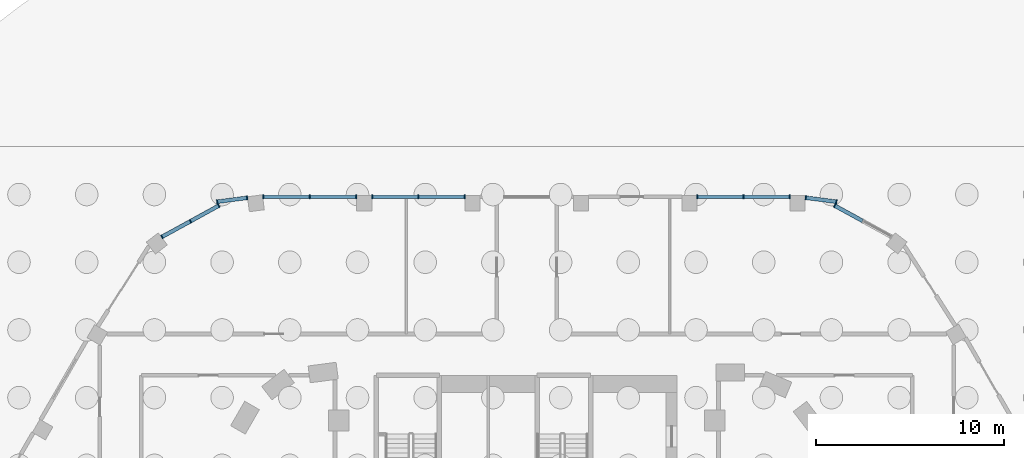
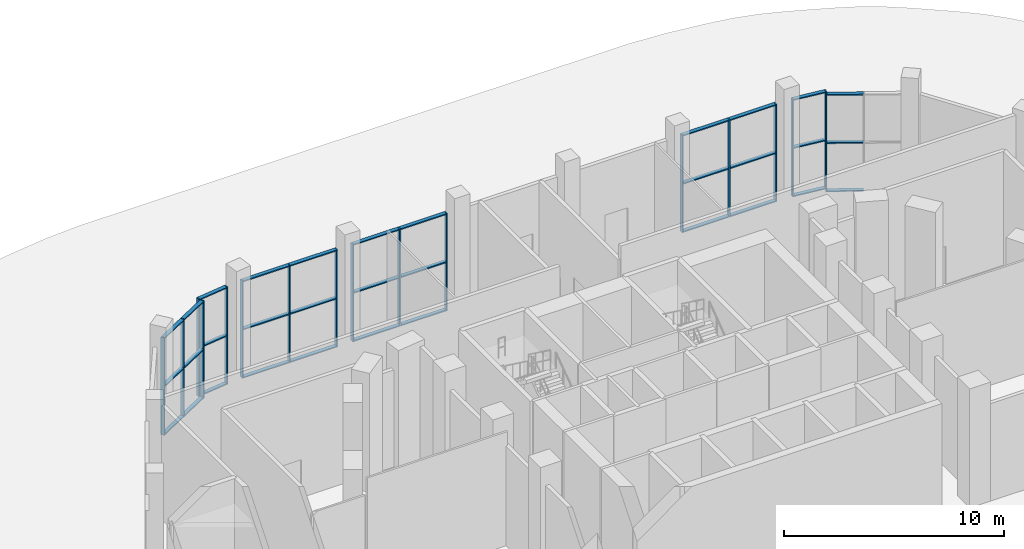
# One storey, part 16 of 44: 50 members, 7 elements without a shape of their own.
"""IFC4 building model written with IfcOpenShell, lengths in metres."""

from ifc_helpers import new_model, si_unit, direction, frame, origin, origin_2d, place, context, subcontext, project, spatial, rectangle, extrude, material, layer, layer_set, material_profile, profile_set, type_object, element, aggregate, save


model = new_model("IFC4")

# Units and contexts
model_context = context("Model", 3, precision=1e-05, world=origin(), true_north=direction((0.0, 1.0)))
body_context = subcontext(model_context, "Body", "Model", "MODEL_VIEW")
ifc_project = project(units=[si_unit("LENGTHUNIT", "METRE"), si_unit("AREAUNIT", "SQUARE_METRE"), si_unit("VOLUMEUNIT", "CUBIC_METRE"), si_unit("PLANEANGLEUNIT", "RADIAN"), si_unit("MASSUNIT", "GRAM", prefix="KILO")], contexts=[model_context])

# Site, building, storey
site_placement = place(None, origin())
site = spatial("IfcSite", under=ifc_project, at=site_placement, CompositionType="ELEMENT")
building_placement = place(site_placement, origin())
building = spatial("IfcBuilding", under=site, at=building_placement, Name="Nakaniwa Court", CompositionType="ELEMENT")
storey_placement = place(building_placement, origin())
storey = spatial("IfcBuildingStorey", under=building, at=storey_placement, Name="L00", CompositionType="ELEMENT", Elevation=0.0)

# Curtain wall, member
ifc_material_1 = material(Name="Black anodised aluminium frame with dark low-E laminated double glazing", Category="aluminium")
ifc_layer = layer(ifc_material_1, 0.199951171875)
ifc_layer_set = layer_set([ifc_layer], Name="Black anodised aluminium frame with dark low-E laminated double glazing")
curtain_wall_type = type_object("IfcCurtainWallType", Name="Concourse stick curtain wall", PredefinedType="NOTDEFINED", material=ifc_layer_set)
curtain_wall_1_placement = place(storey_placement, origin())
curtain_wall_1 = element("IfcCurtainWall", 1, at=curtain_wall_1_placement, inside=storey, type_object=curtain_wall_type, Name="L00 curtain wall CW2 44", PredefinedType="NOTDEFINED")
ifc_material_2 = material(Name="Black anodised aluminium extrusion", Category="aluminium")
ifc_material_profile_1 = material_profile(ifc_material_2, rectangle(XDim=0.199951171875, YDim=0.06005859375, at=origin_2d()), Name="Concourse stick curtain wall mullion 60x200")
ifc_profile_set_1 = profile_set([ifc_material_profile_1], Name="Black anodised aluminium extrusion")
member_type_1 = type_object("IfcMemberType", Name="Concourse stick curtain wall mullion 60x200", PredefinedType="MULLION", material=ifc_profile_set_1)
member_1_placement = place(storey_placement, frame((96.373291015625, 112.426025390625, 0.0), z_axis=(0.0, 0.0, 1.0), x_axis=(-0.480878713587, -0.876787125144, 0.0)))
member_1 = element("IfcMember", 2, at=member_1_placement, type_object=member_type_1, Name="CW2 mullion 3", PredefinedType="MULLION", context=body_context, shape_type="SweptSolid", body=[
    extrude(rectangle(XDim=0.199951171875, YDim=0.06005859375, at=origin_2d()), origin(), (0.0, 0.0, 1.0), 5.39990234375),
])

# Curtain wall, members
curtain_wall_2_placement = place(storey_placement, origin())
curtain_wall_2 = element("IfcCurtainWall", 3, at=curtain_wall_2_placement, inside=storey, type_object=curtain_wall_type, Name="L00 curtain wall CW2 45", PredefinedType="NOTDEFINED")
member_2_placement = place(storey_placement, frame((96.46142578125, 112.63232421875, 0.0), z_axis=(0.0, 0.0, 1.0), x_axis=(-0.13055195785, -0.991441468924, 0.0)))
member_2 = element("IfcMember", 4, at=member_2_placement, type_object=member_type_1, Name="CW2 mullion 1", PredefinedType="MULLION", context=body_context, shape_type="SweptSolid", body=[
    extrude(rectangle(XDim=0.199951171875, YDim=0.06005859375, at=origin_2d()), origin(), (0.0, 0.0, 1.0), 5.39990234375),
])
member_3_placement = place(storey_placement, frame((94.83642578125, 112.84619140625, 0.0), z_axis=(0.0, 0.0, 1.0), x_axis=(-0.13055195785, -0.991441468924, 0.0)))
member_3 = element("IfcMember", 5, at=member_3_placement, type_object=member_type_1, Name="CW2 mullion 2", PredefinedType="MULLION", context=body_context, shape_type="SweptSolid", body=[
    extrude(rectangle(XDim=0.199951171875, YDim=0.06005859375, at=origin_2d()), origin(), (0.0, 0.0, 1.0), 5.39990234375),
])

curtain_wall_3_placement = place(storey_placement, origin())
curtain_wall_3 = element("IfcCurtainWall", 6, at=curtain_wall_3_placement, inside=storey, type_object=curtain_wall_type, Name="L00 curtain wall CW2 46", PredefinedType="NOTDEFINED")
member_4_placement = place(storey_placement, frame((93.978271484375, 112.89990234375, 0.0), z_axis=(0.0, 0.0, 1.0), x_axis=(0.0, -1.0, 0.0)))
member_4 = element("IfcMember", 7, at=member_4_placement, type_object=member_type_1, Name="CW2 mullion 1", PredefinedType="MULLION", context=body_context, shape_type="SweptSolid", body=[
    extrude(rectangle(XDim=0.199951171875, YDim=0.06005859375, at=origin_2d()), origin(), (0.0, 0.0, 1.0), 5.39990234375),
])
member_5_placement = place(storey_placement, frame((91.5234375, 112.89990234375, 0.0), z_axis=(0.0, 0.0, 1.0), x_axis=(0.0, -1.0, 0.0)))
member_5 = element("IfcMember", 8, at=member_5_placement, type_object=member_type_1, Name="CW2 mullion 2", PredefinedType="MULLION", context=body_context, shape_type="SweptSolid", body=[
    extrude(rectangle(XDim=0.199951171875, YDim=0.06005859375, at=origin_2d()), origin(), (0.0, 0.0, 1.0), 5.39990234375),
])
member_6_placement = place(storey_placement, frame((89.068603515625, 112.89990234375, 0.0), z_axis=(0.0, 0.0, 1.0), x_axis=(0.0, -1.0, 0.0)))
member_6 = element("IfcMember", 9, at=member_6_placement, type_object=member_type_1, Name="CW2 mullion 3", PredefinedType="MULLION", context=body_context, shape_type="SweptSolid", body=[
    extrude(rectangle(XDim=0.199951171875, YDim=0.06005859375, at=origin_2d()), origin(), (0.0, 0.0, 1.0), 5.39990234375),
])

curtain_wall_4_placement = place(storey_placement, origin())
curtain_wall_4 = element("IfcCurtainWall", 10, at=curtain_wall_4_placement, inside=storey, type_object=curtain_wall_type, Name="L00 curtain wall CW2 49", PredefinedType="NOTDEFINED")
member_7_placement = place(storey_placement, frame((76.693115234375, 112.89990234375, 0.0), z_axis=(0.0, 0.0, 1.0), x_axis=(0.0, -1.0, 0.0)))
member_7 = element("IfcMember", 11, at=member_7_placement, type_object=member_type_1, Name="CW2 mullion 1", PredefinedType="MULLION", context=body_context, shape_type="SweptSolid", body=[
    extrude(rectangle(XDim=0.199951171875, YDim=0.06005859375, at=origin_2d()), origin(), (0.0, 0.0, 1.0), 5.39990234375),
])
member_8_placement = place(storey_placement, frame((74.23828125, 112.89990234375, 0.0), z_axis=(0.0, 0.0, 1.0), x_axis=(0.0, -1.0, 0.0)))
member_8 = element("IfcMember", 12, at=member_8_placement, type_object=member_type_1, Name="CW2 mullion 2", PredefinedType="MULLION", context=body_context, shape_type="SweptSolid", body=[
    extrude(rectangle(XDim=0.199951171875, YDim=0.06005859375, at=origin_2d()), origin(), (0.0, 0.0, 1.0), 5.39990234375),
])
member_9_placement = place(storey_placement, frame((71.783447265625, 112.89990234375, 0.0), z_axis=(0.0, 0.0, 1.0), x_axis=(0.0, -1.0, 0.0)))
member_9 = element("IfcMember", 13, at=member_9_placement, type_object=member_type_1, Name="CW2 mullion 3", PredefinedType="MULLION", context=body_context, shape_type="SweptSolid", body=[
    extrude(rectangle(XDim=0.199951171875, YDim=0.06005859375, at=origin_2d()), origin(), (0.0, 0.0, 1.0), 5.39990234375),
])

curtain_wall_5_placement = place(storey_placement, origin())
curtain_wall_5 = element("IfcCurtainWall", 14, at=curtain_wall_5_placement, inside=storey, type_object=curtain_wall_type, Name="L00 curtain wall CW2 50", PredefinedType="NOTDEFINED")
member_10_placement = place(storey_placement, frame((70.931396484375, 112.89990234375, 0.0), z_axis=(0.0, 0.0, 1.0), x_axis=(0.0, -1.0, 0.0)))
member_10 = element("IfcMember", 15, at=member_10_placement, type_object=member_type_1, Name="CW2 mullion 1", PredefinedType="MULLION", context=body_context, shape_type="SweptSolid", body=[
    extrude(rectangle(XDim=0.199951171875, YDim=0.06005859375, at=origin_2d()), origin(), (0.0, 0.0, 1.0), 5.39990234375),
])
member_11_placement = place(storey_placement, frame((68.45849609375, 112.89990234375, 0.0), z_axis=(0.0, 0.0, 1.0), x_axis=(0.0, -1.0, 0.0)))
member_11 = element("IfcMember", 16, at=member_11_placement, type_object=member_type_1, Name="CW2 mullion 2", PredefinedType="MULLION", context=body_context, shape_type="SweptSolid", body=[
    extrude(rectangle(XDim=0.199951171875, YDim=0.06005859375, at=origin_2d()), origin(), (0.0, 0.0, 1.0), 5.39990234375),
])
member_12_placement = place(storey_placement, frame((65.985595703125, 112.89990234375, 0.0), z_axis=(0.0, 0.0, 1.0), x_axis=(0.0, -1.0, 0.0)))
member_12 = element("IfcMember", 17, at=member_12_placement, type_object=member_type_1, Name="CW2 mullion 3", PredefinedType="MULLION", context=body_context, shape_type="SweptSolid", body=[
    extrude(rectangle(XDim=0.199951171875, YDim=0.06005859375, at=origin_2d()), origin(), (0.0, 0.0, 1.0), 5.39990234375),
])

curtain_wall_6_placement = place(storey_placement, origin())
curtain_wall_6 = element("IfcCurtainWall", 18, at=curtain_wall_6_placement, inside=storey, type_object=curtain_wall_type, Name="L00 curtain wall CW2 51", PredefinedType="NOTDEFINED")
member_13_placement = place(storey_placement, frame((65.127685546875, 112.84130859375, 0.0), z_axis=(0.0, 0.0, 1.0), x_axis=(0.130493401821, -0.99144917776, 0.0)))
member_13 = element("IfcMember", 19, at=member_13_placement, type_object=member_type_1, Name="CW2 mullion 1", PredefinedType="MULLION", context=body_context, shape_type="SweptSolid", body=[
    extrude(rectangle(XDim=0.199951171875, YDim=0.06005859375, at=origin_2d()), origin(), (0.0, 0.0, 1.0), 5.39990234375),
])
member_14_placement = place(storey_placement, frame((63.53857421875, 112.63232421875, 0.0), z_axis=(0.0, 0.0, 1.0), x_axis=(0.130493401821, -0.99144917776, 0.0)))
member_14 = element("IfcMember", 20, at=member_14_placement, type_object=member_type_1, Name="CW2 mullion 2", PredefinedType="MULLION", context=body_context, shape_type="SweptSolid", body=[
    extrude(rectangle(XDim=0.199951171875, YDim=0.06005859375, at=origin_2d()), origin(), (0.0, 0.0, 1.0), 5.39990234375),
])

curtain_wall_7_placement = place(storey_placement, origin())
curtain_wall_7 = element("IfcCurtainWall", 21, at=curtain_wall_7_placement, inside=storey, type_object=curtain_wall_type, Name="L00 curtain wall CW2 52", PredefinedType="NOTDEFINED")
member_15_placement = place(storey_placement, frame((63.62744140625, 112.425048828125, 0.0), z_axis=(0.0, 0.0, 1.0), x_axis=(0.481424452617, -0.87648759057, 0.0)))
member_15 = element("IfcMember", 22, at=member_15_placement, type_object=member_type_1, Name="CW2 mullion 1", PredefinedType="MULLION", context=body_context, shape_type="SweptSolid", body=[
    extrude(rectangle(XDim=0.199951171875, YDim=0.06005859375, at=origin_2d()), origin(), (0.0, 0.0, 1.0), 5.39990234375),
])
member_16_placement = place(storey_placement, frame((62.115234375, 111.594482421875, 0.0), z_axis=(0.0, 0.0, 1.0), x_axis=(0.481424452617, -0.87648759057, 0.0)))
member_16 = element("IfcMember", 23, at=member_16_placement, type_object=member_type_1, Name="CW2 mullion 2", PredefinedType="MULLION", context=body_context, shape_type="SweptSolid", body=[
    extrude(rectangle(XDim=0.199951171875, YDim=0.06005859375, at=origin_2d()), origin(), (0.0, 0.0, 1.0), 5.39990234375),
])
member_17_placement = place(storey_placement, frame((60.602783203125, 110.763671875, 0.0), z_axis=(0.0, 0.0, 1.0), x_axis=(0.481424452617, -0.87648759057, 0.0)))
member_17 = element("IfcMember", 24, at=member_17_placement, type_object=member_type_1, Name="CW2 mullion 3", PredefinedType="MULLION", context=body_context, shape_type="SweptSolid", body=[
    extrude(rectangle(XDim=0.199951171875, YDim=0.06005859375, at=origin_2d()), origin(), (0.0, 0.0, 1.0), 5.39990234375),
])

# Member
ifc_material_profile_2 = material_profile(ifc_material_2, rectangle(XDim=0.199951171875, YDim=0.06005859375, at=origin_2d()), Name="Concourse stick curtain wall transom 60x200")
ifc_profile_set_2 = profile_set([ifc_material_profile_2], Name="Black anodised aluminium extrusion")
member_type_2 = type_object("IfcMemberType", Name="Concourse stick curtain wall transom 60x200", PredefinedType="USERDEFINED", material=ifc_profile_set_2)
member_18_placement = place(storey_placement, frame((97.853515625, 111.6142578125, 0.030029296875), z_axis=(-0.876824421304, 0.480810705168, 0.0), x_axis=(-0.480810705168, -0.876824421304, 0.0)))
member_18 = element("IfcMember", 25, at=member_18_placement, type_object=member_type_2, Name="CW2 transom 2.1", ObjectType="TRANSOM", PredefinedType="USERDEFINED", context=body_context, shape_type="SweptSolid", body=[
    extrude(rectangle(XDim=0.199951171875, YDim=0.06005859375, at=origin_2d()), origin(), (0.0, 0.0, 1.0), 1.658447265625),
])

member_19_placement = place(storey_placement, frame((97.853515625, 111.6142578125, 2.699951171875), z_axis=(-0.876824421304, 0.480810705168, 0.0), x_axis=(-0.480810705168, -0.876824421304, 0.0)))
member_19 = element("IfcMember", 26, at=member_19_placement, type_object=member_type_2, Name="CW2 transom 2.2", ObjectType="TRANSOM", PredefinedType="USERDEFINED", context=body_context, shape_type="SweptSolid", body=[
    extrude(rectangle(XDim=0.199951171875, YDim=0.06005859375, at=origin_2d()), origin(), (0.0, 0.0, 1.0), 1.658447265625),
])

member_20_placement = place(storey_placement, frame((97.853515625, 111.6142578125, 5.3701171875), z_axis=(-0.876824421304, 0.480810705168, 0.0), x_axis=(-0.480810705168, -0.876824421304, 0.0)))
member_20 = element("IfcMember", 27, at=member_20_placement, type_object=member_type_2, Name="CW2 transom 2.3", ObjectType="TRANSOM", PredefinedType="USERDEFINED", context=body_context, shape_type="SweptSolid", body=[
    extrude(rectangle(XDim=0.199951171875, YDim=0.06005859375, at=origin_2d()), origin(), (0.0, 0.0, 1.0), 1.658447265625),
])

aggregate(curtain_wall_1, [member_1, member_18, member_19, member_20])

member_21_placement = place(storey_placement, frame((96.431640625, 112.63623046875, 0.030029296875), z_axis=(-0.991447978908, 0.130502510012, 0.0), x_axis=(-0.130502510012, -0.991447978908, 0.0)))
member_21 = element("IfcMember", 28, at=member_21_placement, type_object=member_type_2, Name="CW2 transom 1.1", ObjectType="TRANSOM", PredefinedType="USERDEFINED", context=body_context, shape_type="SweptSolid", body=[
    extrude(rectangle(XDim=0.199951171875, YDim=0.06005859375, at=origin_2d()), origin(), (0.0, 0.0, 1.0), 1.578857421875),
])

member_22_placement = place(storey_placement, frame((96.431640625, 112.63623046875, 2.699951171875), z_axis=(-0.991447978908, 0.130502510012, 0.0), x_axis=(-0.130502510012, -0.991447978908, 0.0)))
member_22 = element("IfcMember", 29, at=member_22_placement, type_object=member_type_2, Name="CW2 transom 1.2", ObjectType="TRANSOM", PredefinedType="USERDEFINED", context=body_context, shape_type="SweptSolid", body=[
    extrude(rectangle(XDim=0.199951171875, YDim=0.06005859375, at=origin_2d()), origin(), (0.0, 0.0, 1.0), 1.578857421875),
])

member_23_placement = place(storey_placement, frame((96.431640625, 112.63623046875, 5.3701171875), z_axis=(-0.991447978908, 0.130502510012, 0.0), x_axis=(-0.130502510012, -0.991447978908, 0.0)))
member_23 = element("IfcMember", 30, at=member_23_placement, type_object=member_type_2, Name="CW2 transom 1.3", ObjectType="TRANSOM", PredefinedType="USERDEFINED", context=body_context, shape_type="SweptSolid", body=[
    extrude(rectangle(XDim=0.199951171875, YDim=0.06005859375, at=origin_2d()), origin(), (0.0, 0.0, 1.0), 1.578857421875),
])

aggregate(curtain_wall_2, [member_2, member_3, member_21, member_22, member_23])

member_24_placement = place(storey_placement, frame((93.9482421875, 112.89990234375, 0.030029296875), z_axis=(-1.0, 0.0, 0.0), x_axis=(0.0, -1.0, 0.0)))
member_24 = element("IfcMember", 31, at=member_24_placement, type_object=member_type_2, Name="CW2 transom 1.1", ObjectType="TRANSOM", PredefinedType="USERDEFINED", context=body_context, shape_type="SweptSolid", body=[
    extrude(rectangle(XDim=0.199951171875, YDim=0.06005859375, at=origin_2d()), origin(), (0.0, 0.0, 1.0), 2.394775390625),
])

member_25_placement = place(storey_placement, frame((93.9482421875, 112.89990234375, 2.699951171875), z_axis=(-1.0, 0.0, 0.0), x_axis=(0.0, -1.0, 0.0)))
member_25 = element("IfcMember", 32, at=member_25_placement, type_object=member_type_2, Name="CW2 transom 1.2", ObjectType="TRANSOM", PredefinedType="USERDEFINED", context=body_context, shape_type="SweptSolid", body=[
    extrude(rectangle(XDim=0.199951171875, YDim=0.06005859375, at=origin_2d()), origin(), (0.0, 0.0, 1.0), 2.394775390625),
])

member_26_placement = place(storey_placement, frame((93.9482421875, 112.89990234375, 5.3701171875), z_axis=(-1.0, 0.0, 0.0), x_axis=(0.0, -1.0, 0.0)))
member_26 = element("IfcMember", 33, at=member_26_placement, type_object=member_type_2, Name="CW2 transom 1.3", ObjectType="TRANSOM", PredefinedType="USERDEFINED", context=body_context, shape_type="SweptSolid", body=[
    extrude(rectangle(XDim=0.199951171875, YDim=0.06005859375, at=origin_2d()), origin(), (0.0, 0.0, 1.0), 2.394775390625),
])

member_27_placement = place(storey_placement, frame((91.493408203125, 112.89990234375, 0.030029296875), z_axis=(-1.0, 0.0, 0.0), x_axis=(0.0, -1.0, 0.0)))
member_27 = element("IfcMember", 34, at=member_27_placement, type_object=member_type_2, Name="CW2 transom 2.1", ObjectType="TRANSOM", PredefinedType="USERDEFINED", context=body_context, shape_type="SweptSolid", body=[
    extrude(rectangle(XDim=0.199951171875, YDim=0.06005859375, at=origin_2d()), origin(), (0.0, 0.0, 1.0), 2.394775390625),
])

member_28_placement = place(storey_placement, frame((91.493408203125, 112.89990234375, 2.699951171875), z_axis=(-1.0, 0.0, 0.0), x_axis=(0.0, -1.0, 0.0)))
member_28 = element("IfcMember", 35, at=member_28_placement, type_object=member_type_2, Name="CW2 transom 2.2", ObjectType="TRANSOM", PredefinedType="USERDEFINED", context=body_context, shape_type="SweptSolid", body=[
    extrude(rectangle(XDim=0.199951171875, YDim=0.06005859375, at=origin_2d()), origin(), (0.0, 0.0, 1.0), 2.394775390625),
])

member_29_placement = place(storey_placement, frame((91.493408203125, 112.89990234375, 5.3701171875), z_axis=(-1.0, 0.0, 0.0), x_axis=(0.0, -1.0, 0.0)))
member_29 = element("IfcMember", 36, at=member_29_placement, type_object=member_type_2, Name="CW2 transom 2.3", ObjectType="TRANSOM", PredefinedType="USERDEFINED", context=body_context, shape_type="SweptSolid", body=[
    extrude(rectangle(XDim=0.199951171875, YDim=0.06005859375, at=origin_2d()), origin(), (0.0, 0.0, 1.0), 2.394775390625),
])

aggregate(curtain_wall_3, [member_4, member_5, member_6, member_24, member_25, member_26, member_27, member_28, member_29])

member_30_placement = place(storey_placement, frame((76.6630859375, 112.89990234375, 0.030029296875), z_axis=(-1.0, 0.0, 0.0), x_axis=(0.0, -1.0, 0.0)))
member_30 = element("IfcMember", 37, at=member_30_placement, type_object=member_type_2, Name="CW2 transom 1.1", ObjectType="TRANSOM", PredefinedType="USERDEFINED", context=body_context, shape_type="SweptSolid", body=[
    extrude(rectangle(XDim=0.199951171875, YDim=0.06005859375, at=origin_2d()), origin(), (0.0, 0.0, 1.0), 2.394775390625),
])

member_31_placement = place(storey_placement, frame((76.6630859375, 112.89990234375, 2.699951171875), z_axis=(-1.0, 0.0, 0.0), x_axis=(0.0, -1.0, 0.0)))
member_31 = element("IfcMember", 38, at=member_31_placement, type_object=member_type_2, Name="CW2 transom 1.2", ObjectType="TRANSOM", PredefinedType="USERDEFINED", context=body_context, shape_type="SweptSolid", body=[
    extrude(rectangle(XDim=0.199951171875, YDim=0.06005859375, at=origin_2d()), origin(), (0.0, 0.0, 1.0), 2.394775390625),
])

member_32_placement = place(storey_placement, frame((76.6630859375, 112.89990234375, 5.3701171875), z_axis=(-1.0, 0.0, 0.0), x_axis=(0.0, -1.0, 0.0)))
member_32 = element("IfcMember", 39, at=member_32_placement, type_object=member_type_2, Name="CW2 transom 1.3", ObjectType="TRANSOM", PredefinedType="USERDEFINED", context=body_context, shape_type="SweptSolid", body=[
    extrude(rectangle(XDim=0.199951171875, YDim=0.06005859375, at=origin_2d()), origin(), (0.0, 0.0, 1.0), 2.394775390625),
])

member_33_placement = place(storey_placement, frame((74.208251953125, 112.89990234375, 0.030029296875), z_axis=(-1.0, 0.0, 0.0), x_axis=(0.0, -1.0, 0.0)))
member_33 = element("IfcMember", 40, at=member_33_placement, type_object=member_type_2, Name="CW2 transom 2.1", ObjectType="TRANSOM", PredefinedType="USERDEFINED", context=body_context, shape_type="SweptSolid", body=[
    extrude(rectangle(XDim=0.199951171875, YDim=0.06005859375, at=origin_2d()), origin(), (0.0, 0.0, 1.0), 2.394775390625),
])

member_34_placement = place(storey_placement, frame((74.208251953125, 112.89990234375, 2.699951171875), z_axis=(-1.0, 0.0, 0.0), x_axis=(0.0, -1.0, 0.0)))
member_34 = element("IfcMember", 41, at=member_34_placement, type_object=member_type_2, Name="CW2 transom 2.2", ObjectType="TRANSOM", PredefinedType="USERDEFINED", context=body_context, shape_type="SweptSolid", body=[
    extrude(rectangle(XDim=0.199951171875, YDim=0.06005859375, at=origin_2d()), origin(), (0.0, 0.0, 1.0), 2.394775390625),
])

member_35_placement = place(storey_placement, frame((74.208251953125, 112.89990234375, 5.3701171875), z_axis=(-1.0, 0.0, 0.0), x_axis=(0.0, -1.0, 0.0)))
member_35 = element("IfcMember", 42, at=member_35_placement, type_object=member_type_2, Name="CW2 transom 2.3", ObjectType="TRANSOM", PredefinedType="USERDEFINED", context=body_context, shape_type="SweptSolid", body=[
    extrude(rectangle(XDim=0.199951171875, YDim=0.06005859375, at=origin_2d()), origin(), (0.0, 0.0, 1.0), 2.394775390625),
])

aggregate(curtain_wall_4, [member_7, member_8, member_9, member_30, member_31, member_32, member_33, member_34, member_35])

member_36_placement = place(storey_placement, frame((70.9013671875, 112.89990234375, 0.030029296875), z_axis=(-1.0, 0.0, 0.0), x_axis=(0.0, -1.0, 0.0)))
member_36 = element("IfcMember", 43, at=member_36_placement, type_object=member_type_2, Name="CW2 transom 1.1", ObjectType="TRANSOM", PredefinedType="USERDEFINED", context=body_context, shape_type="SweptSolid", body=[
    extrude(rectangle(XDim=0.199951171875, YDim=0.06005859375, at=origin_2d()), origin(), (0.0, 0.0, 1.0), 2.412841796875),
])

member_37_placement = place(storey_placement, frame((70.9013671875, 112.89990234375, 2.699951171875), z_axis=(-1.0, 0.0, 0.0), x_axis=(0.0, -1.0, 0.0)))
member_37 = element("IfcMember", 44, at=member_37_placement, type_object=member_type_2, Name="CW2 transom 1.2", ObjectType="TRANSOM", PredefinedType="USERDEFINED", context=body_context, shape_type="SweptSolid", body=[
    extrude(rectangle(XDim=0.199951171875, YDim=0.06005859375, at=origin_2d()), origin(), (0.0, 0.0, 1.0), 2.412841796875),
])

member_38_placement = place(storey_placement, frame((70.9013671875, 112.89990234375, 5.3701171875), z_axis=(-1.0, 0.0, 0.0), x_axis=(0.0, -1.0, 0.0)))
member_38 = element("IfcMember", 45, at=member_38_placement, type_object=member_type_2, Name="CW2 transom 1.3", ObjectType="TRANSOM", PredefinedType="USERDEFINED", context=body_context, shape_type="SweptSolid", body=[
    extrude(rectangle(XDim=0.199951171875, YDim=0.06005859375, at=origin_2d()), origin(), (0.0, 0.0, 1.0), 2.412841796875),
])

member_39_placement = place(storey_placement, frame((68.428466796875, 112.89990234375, 0.030029296875), z_axis=(-1.0, 0.0, 0.0), x_axis=(0.0, -1.0, 0.0)))
member_39 = element("IfcMember", 46, at=member_39_placement, type_object=member_type_2, Name="CW2 transom 2.1", ObjectType="TRANSOM", PredefinedType="USERDEFINED", context=body_context, shape_type="SweptSolid", body=[
    extrude(rectangle(XDim=0.199951171875, YDim=0.06005859375, at=origin_2d()), origin(), (0.0, 0.0, 1.0), 2.412841796875),
])

member_40_placement = place(storey_placement, frame((68.428466796875, 112.89990234375, 2.699951171875), z_axis=(-1.0, 0.0, 0.0), x_axis=(0.0, -1.0, 0.0)))
member_40 = element("IfcMember", 47, at=member_40_placement, type_object=member_type_2, Name="CW2 transom 2.2", ObjectType="TRANSOM", PredefinedType="USERDEFINED", context=body_context, shape_type="SweptSolid", body=[
    extrude(rectangle(XDim=0.199951171875, YDim=0.06005859375, at=origin_2d()), origin(), (0.0, 0.0, 1.0), 2.412841796875),
])

member_41_placement = place(storey_placement, frame((68.428466796875, 112.89990234375, 5.3701171875), z_axis=(-1.0, 0.0, 0.0), x_axis=(0.0, -1.0, 0.0)))
member_41 = element("IfcMember", 48, at=member_41_placement, type_object=member_type_2, Name="CW2 transom 2.3", ObjectType="TRANSOM", PredefinedType="USERDEFINED", context=body_context, shape_type="SweptSolid", body=[
    extrude(rectangle(XDim=0.199951171875, YDim=0.06005859375, at=origin_2d()), origin(), (0.0, 0.0, 1.0), 2.412841796875),
])

aggregate(curtain_wall_5, [member_10, member_11, member_12, member_36, member_37, member_38, member_39, member_40, member_41])

member_42_placement = place(storey_placement, frame((65.097900390625, 112.83740234375, 0.030029296875), z_axis=(-0.991461296504, -0.130401294225, 0.0), x_axis=(0.130401294225, -0.991461296504, 0.0)))
member_42 = element("IfcMember", 49, at=member_42_placement, type_object=member_type_2, Name="CW2 transom 1.1", ObjectType="TRANSOM", PredefinedType="USERDEFINED", context=body_context, shape_type="SweptSolid", body=[
    extrude(rectangle(XDim=0.199951171875, YDim=0.06005859375, at=origin_2d()), origin(), (0.0, 0.0, 1.0), 1.542724609375),
])

member_43_placement = place(storey_placement, frame((65.097900390625, 112.83740234375, 2.699951171875), z_axis=(-0.991461296504, -0.130401294225, 0.0), x_axis=(0.130401294225, -0.991461296504, 0.0)))
member_43 = element("IfcMember", 50, at=member_43_placement, type_object=member_type_2, Name="CW2 transom 1.2", ObjectType="TRANSOM", PredefinedType="USERDEFINED", context=body_context, shape_type="SweptSolid", body=[
    extrude(rectangle(XDim=0.199951171875, YDim=0.06005859375, at=origin_2d()), origin(), (0.0, 0.0, 1.0), 1.542724609375),
])

member_44_placement = place(storey_placement, frame((65.097900390625, 112.83740234375, 5.3701171875), z_axis=(-0.991461296504, -0.130401294225, 0.0), x_axis=(0.130401294225, -0.991461296504, 0.0)))
member_44 = element("IfcMember", 51, at=member_44_placement, type_object=member_type_2, Name="CW2 transom 1.3", ObjectType="TRANSOM", PredefinedType="USERDEFINED", context=body_context, shape_type="SweptSolid", body=[
    extrude(rectangle(XDim=0.199951171875, YDim=0.06005859375, at=origin_2d()), origin(), (0.0, 0.0, 1.0), 1.542724609375),
])

aggregate(curtain_wall_6, [member_13, member_14, member_42, member_43, member_44])

member_45_placement = place(storey_placement, frame((63.601318359375, 112.41064453125, 0.030029296875), z_axis=(-0.876491228991, -0.4814178284, 0.0), x_axis=(0.4814178284, -0.876491228991, 0.0)))
member_45 = element("IfcMember", 52, at=member_45_placement, type_object=member_type_2, Name="CW2 transom 1.1", ObjectType="TRANSOM", PredefinedType="USERDEFINED", context=body_context, shape_type="SweptSolid", body=[
    extrude(rectangle(XDim=0.199951171875, YDim=0.06005859375, at=origin_2d()), origin(), (0.0, 0.0, 1.0), 1.66552734375),
])

member_46_placement = place(storey_placement, frame((63.601318359375, 112.41064453125, 2.699951171875), z_axis=(-0.876491228991, -0.4814178284, 0.0), x_axis=(0.4814178284, -0.876491228991, 0.0)))
member_46 = element("IfcMember", 53, at=member_46_placement, type_object=member_type_2, Name="CW2 transom 1.2", ObjectType="TRANSOM", PredefinedType="USERDEFINED", context=body_context, shape_type="SweptSolid", body=[
    extrude(rectangle(XDim=0.199951171875, YDim=0.06005859375, at=origin_2d()), origin(), (0.0, 0.0, 1.0), 1.66552734375),
])

member_47_placement = place(storey_placement, frame((63.601318359375, 112.41064453125, 5.3701171875), z_axis=(-0.876491228991, -0.4814178284, 0.0), x_axis=(0.4814178284, -0.876491228991, 0.0)))
member_47 = element("IfcMember", 54, at=member_47_placement, type_object=member_type_2, Name="CW2 transom 1.3", ObjectType="TRANSOM", PredefinedType="USERDEFINED", context=body_context, shape_type="SweptSolid", body=[
    extrude(rectangle(XDim=0.199951171875, YDim=0.06005859375, at=origin_2d()), origin(), (0.0, 0.0, 1.0), 1.66552734375),
])

member_48_placement = place(storey_placement, frame((62.0888671875, 111.580078125, 0.030029296875), z_axis=(-0.876429369135, -0.481530436128, 0.0), x_axis=(0.481530436128, -0.876429369135, 0.0)))
member_48 = element("IfcMember", 55, at=member_48_placement, type_object=member_type_2, Name="CW2 transom 2.1", ObjectType="TRANSOM", PredefinedType="USERDEFINED", context=body_context, shape_type="SweptSolid", body=[
    extrude(rectangle(XDim=0.199951171875, YDim=0.06005859375, at=origin_2d()), origin(), (0.0, 0.0, 1.0), 1.66552734375),
])

member_49_placement = place(storey_placement, frame((62.0888671875, 111.580078125, 2.699951171875), z_axis=(-0.876429369135, -0.481530436128, 0.0), x_axis=(0.481530436128, -0.876429369135, 0.0)))
member_49 = element("IfcMember", 56, at=member_49_placement, type_object=member_type_2, Name="CW2 transom 2.2", ObjectType="TRANSOM", PredefinedType="USERDEFINED", context=body_context, shape_type="SweptSolid", body=[
    extrude(rectangle(XDim=0.199951171875, YDim=0.06005859375, at=origin_2d()), origin(), (0.0, 0.0, 1.0), 1.66552734375),
])

member_50_placement = place(storey_placement, frame((62.0888671875, 111.580078125, 5.3701171875), z_axis=(-0.876429369135, -0.481530436128, 0.0), x_axis=(0.481530436128, -0.876429369135, 0.0)))
member_50 = element("IfcMember", 57, at=member_50_placement, type_object=member_type_2, Name="CW2 transom 2.3", ObjectType="TRANSOM", PredefinedType="USERDEFINED", context=body_context, shape_type="SweptSolid", body=[
    extrude(rectangle(XDim=0.199951171875, YDim=0.06005859375, at=origin_2d()), origin(), (0.0, 0.0, 1.0), 1.66552734375),
])

aggregate(curtain_wall_7, [member_15, member_16, member_17, member_45, member_46, member_47, member_48, member_49, member_50])

save(model, "model.ifc")
